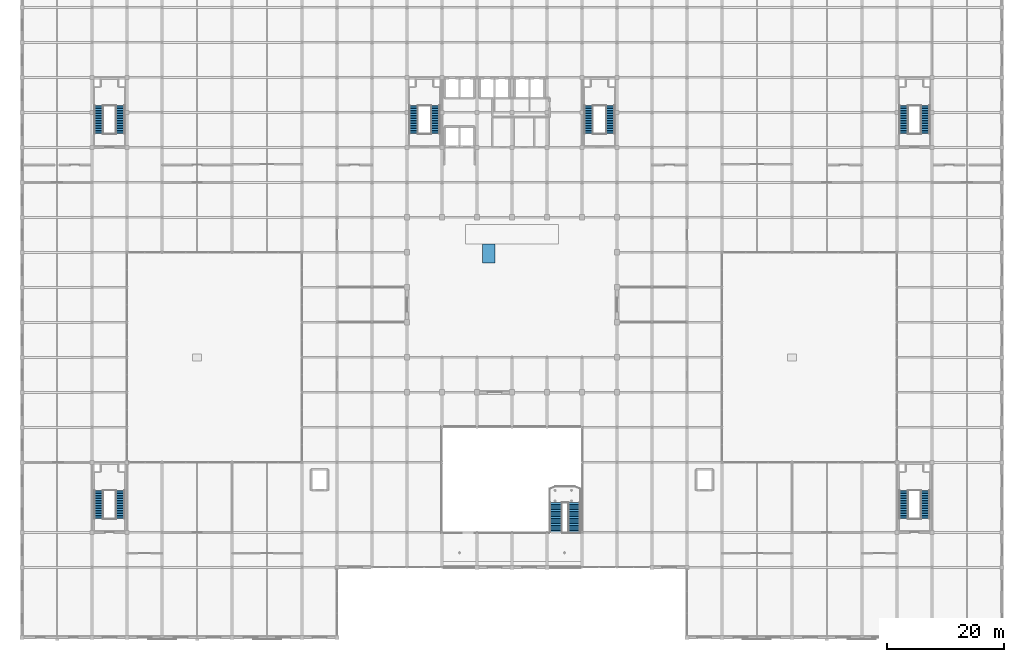
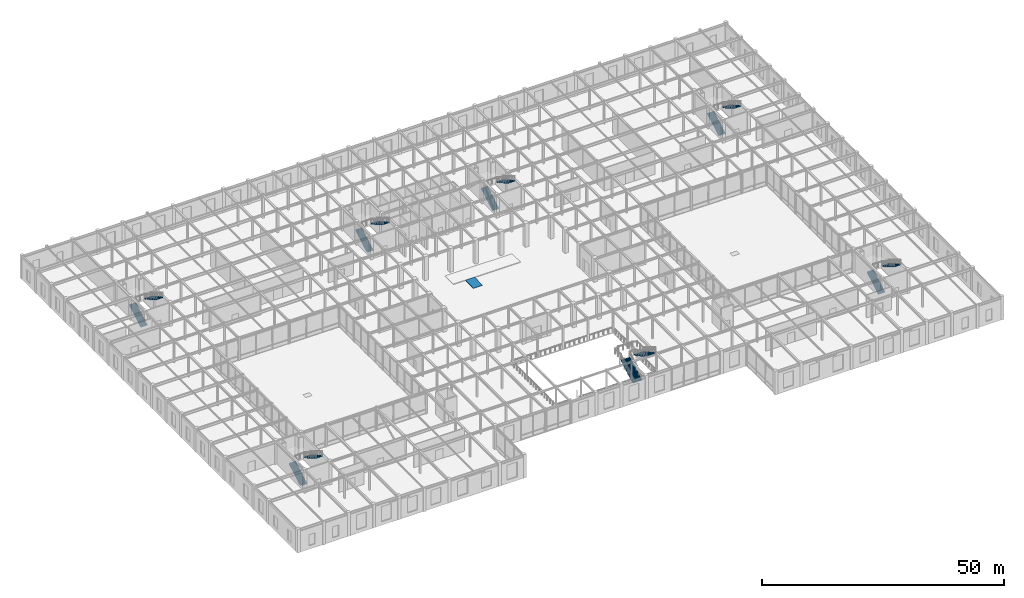
# One storey, part 106 of 108: 14 stair flights, 1 ramp flight, 8 elements without a shape of their own.
"""IFC4 building model written with IfcOpenShell, lengths in metres."""

from ifc_helpers import new_model, si_unit, direction, frame, origin, place, context, subcontext, project, spatial, polyline, outline, extrude, material, layer, layer_set, type_object, element, aggregate, save


model = new_model("IFC4")

# Units and contexts
model_context = context("Model", 3, precision=1e-05, world=origin(), true_north=direction((0.0, 1.0)))
body_context = subcontext(model_context, "Body", "Model", "MODEL_VIEW")
ifc_project = project(units=[si_unit("LENGTHUNIT", "METRE"), si_unit("AREAUNIT", "SQUARE_METRE"), si_unit("VOLUMEUNIT", "CUBIC_METRE"), si_unit("PLANEANGLEUNIT", "RADIAN"), si_unit("MASSUNIT", "GRAM", prefix="KILO")], contexts=[model_context])

# Site, building, storey
site_placement = place(None, origin())
site = spatial("IfcSite", under=ifc_project, at=site_placement, CompositionType="ELEMENT")
building_placement = place(site_placement, origin())
building = spatial("IfcBuilding", under=site, at=building_placement, Name="Zlatovratsky Civic Hall", CompositionType="ELEMENT")
storey_placement = place(building_placement, frame((0.0, 0.0, 6.0)))
storey = spatial("IfcBuildingStorey", under=building, at=storey_placement, Name="L02", CompositionType="ELEMENT", Elevation=6.0)

# Stair, stair flights
ifc_material = material(Name="Concrete C30/37 (B35)", Category="concrete")
stair_type_1 = type_object("IfcStairType", Name="Stair_HALF_36R_1550W_02", PredefinedType="HALF_TURN_STAIR", material=ifc_material)
stair_1_placement = place(storey_placement, origin())
stair_1 = element("IfcStair", 1, at=stair_1_placement, inside=storey, type_object=stair_type_1, Name="ST-003", PredefinedType="HALF_TURN_STAIR")
stair_flight_type_1 = type_object("IfcStairFlightType", Name="StairFlight_18R_1550W_02", PredefinedType="STRAIGHT", material=ifc_material)
stair_flight_1_placement = place(storey_placement, frame((67.125, 86.35009765625, 0.0), z_axis=(0.0, 0.0, 1.0), x_axis=(0.0, 1.0, 0.0)))
stair_flight_1 = element("IfcStairFlight", 2, at=stair_flight_1_placement, type_object=stair_flight_type_1, Name="ST-003-F1", NumberOfRisers=18, NumberOfTreads=17, PredefinedType="STRAIGHT", RiserHeight=0.166666667, TreadLength=0.285, context=body_context, shape_type="SweptSolid", body=[
    extrude(outline(polyline([(0.0, 0.0), (0.0, 0.166748046875), (0.284912109375, 0.166748046875), (0.284912109375, 0.333251953125), (0.570068359375, 0.333251953125), (0.570068359375, 0.5), (0.85498046875, 0.5), (0.85498046875, 0.666748046875), (1.139892578125, 0.666748046875), (1.139892578125, 0.833251953125), (1.425048828125, 0.833251953125), (1.425048828125, 1.0), (1.7099609375, 1.0), (1.7099609375, 1.166748046875), (1.9951171875, 1.166748046875), (1.9951171875, 1.333251953125), (2.280029296875, 1.333251953125), (2.280029296875, 1.5), (2.56494140625, 1.5), (2.56494140625, 1.666748046875), (2.85009765625, 1.666748046875), (2.85009765625, 1.833251953125), (3.135009765625, 1.833251953125), (3.135009765625, 2.0), (3.419921875, 2.0), (3.419921875, 2.166748046875), (3.705078125, 2.166748046875), (3.705078125, 2.333251953125), (3.989990234375, 2.333251953125), (3.989990234375, 2.5), (4.27490234375, 2.5), (4.27490234375, 2.666748046875), (4.56005859375, 2.666748046875), (4.56005859375, 2.833251953125), (4.844970703125, 2.833251953125), (4.844970703125, 3.0), (4.844970703125, 2.625), (0.3564453125, 0.0), (0.0, 0.0)])), frame((0.0, 0.77490234375, 0.0), z_axis=(0.0, -1.0, 0.0), x_axis=(1.0, 0.0, 0.0)), (0.0, 0.0, 1.0), 1.550048828125),
])
stair_flight_2_placement = place(storey_placement, frame((70.875, 91.195068359375, 3.0), z_axis=(0.0, 0.0, 1.0), x_axis=(0.0, -1.0, 0.0)))
stair_flight_2 = element("IfcStairFlight", 3, at=stair_flight_2_placement, type_object=stair_flight_type_1, Name="ST-003-F2", NumberOfRisers=18, NumberOfTreads=17, PredefinedType="STRAIGHT", RiserHeight=0.166666667, TreadLength=0.285, context=body_context, shape_type="SweptSolid", body=[
    extrude(outline(polyline([(0.0, 0.0), (0.0, 0.166748046875), (0.284912109375, 0.166748046875), (0.284912109375, 0.333251953125), (0.570068359375, 0.333251953125), (0.570068359375, 0.5), (0.85498046875, 0.5), (0.85498046875, 0.666748046875), (1.139892578125, 0.666748046875), (1.139892578125, 0.833251953125), (1.425048828125, 0.833251953125), (1.425048828125, 1.0), (1.7099609375, 1.0), (1.7099609375, 1.166748046875), (1.9951171875, 1.166748046875), (1.9951171875, 1.333251953125), (2.280029296875, 1.333251953125), (2.280029296875, 1.5), (2.56494140625, 1.5), (2.56494140625, 1.666748046875), (2.85009765625, 1.666748046875), (2.85009765625, 1.833251953125), (3.135009765625, 1.833251953125), (3.135009765625, 2.0), (3.419921875, 2.0), (3.419921875, 2.166748046875), (3.705078125, 2.166748046875), (3.705078125, 2.333251953125), (3.989990234375, 2.333251953125), (3.989990234375, 2.5), (4.27490234375, 2.5), (4.27490234375, 2.666748046875), (4.56005859375, 2.666748046875), (4.56005859375, 2.833251953125), (4.844970703125, 2.833251953125), (4.844970703125, 3.0), (4.844970703125, 2.625), (0.3564453125, 0.0), (0.0, 0.0)])), frame((0.0, 0.77490234375, 0.0), z_axis=(0.0, -1.0, 0.0), x_axis=(1.0, 0.0, 0.0)), (0.0, 0.0, 1.0), 1.550048828125),
])
aggregate(stair_1, [stair_flight_1, stair_flight_2])

stair_2_placement = place(storey_placement, origin())
stair_2 = element("IfcStair", 4, at=stair_2_placement, inside=storey, type_object=stair_type_1, Name="ST-022", PredefinedType="HALF_TURN_STAIR")
stair_flight_3_placement = place(storey_placement, frame((97.125, 86.35009765625, 0.0), z_axis=(0.0, 0.0, 1.0), x_axis=(0.0, 1.0, 0.0)))
stair_flight_3 = element("IfcStairFlight", 5, at=stair_flight_3_placement, type_object=stair_flight_type_1, Name="ST-022-F1", NumberOfRisers=18, NumberOfTreads=17, PredefinedType="STRAIGHT", RiserHeight=0.166666667, TreadLength=0.285, context=body_context, shape_type="SweptSolid", body=[
    extrude(outline(polyline([(0.0, 0.0), (0.0, 0.166748046875), (0.284912109375, 0.166748046875), (0.284912109375, 0.333251953125), (0.570068359375, 0.333251953125), (0.570068359375, 0.5), (0.85498046875, 0.5), (0.85498046875, 0.666748046875), (1.139892578125, 0.666748046875), (1.139892578125, 0.833251953125), (1.425048828125, 0.833251953125), (1.425048828125, 1.0), (1.7099609375, 1.0), (1.7099609375, 1.166748046875), (1.9951171875, 1.166748046875), (1.9951171875, 1.333251953125), (2.280029296875, 1.333251953125), (2.280029296875, 1.5), (2.56494140625, 1.5), (2.56494140625, 1.666748046875), (2.85009765625, 1.666748046875), (2.85009765625, 1.833251953125), (3.135009765625, 1.833251953125), (3.135009765625, 2.0), (3.419921875, 2.0), (3.419921875, 2.166748046875), (3.705078125, 2.166748046875), (3.705078125, 2.333251953125), (3.989990234375, 2.333251953125), (3.989990234375, 2.5), (4.27490234375, 2.5), (4.27490234375, 2.666748046875), (4.56005859375, 2.666748046875), (4.56005859375, 2.833251953125), (4.844970703125, 2.833251953125), (4.844970703125, 3.0), (4.844970703125, 2.625), (0.3564453125, 0.0), (0.0, 0.0)])), frame((0.0, 0.77490234375, 0.0), z_axis=(0.0, -1.0, 0.0), x_axis=(1.0, 0.0, 0.0)), (0.0, 0.0, 1.0), 1.550048828125),
])
stair_flight_4_placement = place(storey_placement, frame((100.875, 91.195068359375, 3.0), z_axis=(0.0, 0.0, 1.0), x_axis=(0.0, -1.0, 0.0)))
stair_flight_4 = element("IfcStairFlight", 6, at=stair_flight_4_placement, type_object=stair_flight_type_1, Name="ST-022-F2", NumberOfRisers=18, NumberOfTreads=17, PredefinedType="STRAIGHT", RiserHeight=0.166666667, TreadLength=0.285, context=body_context, shape_type="SweptSolid", body=[
    extrude(outline(polyline([(0.0, 0.0), (0.0, 0.166748046875), (0.284912109375, 0.166748046875), (0.284912109375, 0.333251953125), (0.570068359375, 0.333251953125), (0.570068359375, 0.5), (0.85498046875, 0.5), (0.85498046875, 0.666748046875), (1.139892578125, 0.666748046875), (1.139892578125, 0.833251953125), (1.425048828125, 0.833251953125), (1.425048828125, 1.0), (1.7099609375, 1.0), (1.7099609375, 1.166748046875), (1.9951171875, 1.166748046875), (1.9951171875, 1.333251953125), (2.280029296875, 1.333251953125), (2.280029296875, 1.5), (2.56494140625, 1.5), (2.56494140625, 1.666748046875), (2.85009765625, 1.666748046875), (2.85009765625, 1.833251953125), (3.135009765625, 1.833251953125), (3.135009765625, 2.0), (3.419921875, 2.0), (3.419921875, 2.166748046875), (3.705078125, 2.166748046875), (3.705078125, 2.333251953125), (3.989990234375, 2.333251953125), (3.989990234375, 2.5), (4.27490234375, 2.5), (4.27490234375, 2.666748046875), (4.56005859375, 2.666748046875), (4.56005859375, 2.833251953125), (4.844970703125, 2.833251953125), (4.844970703125, 3.0), (4.844970703125, 2.625), (0.3564453125, 0.0), (0.0, 0.0)])), frame((0.0, 0.77490234375, 0.0), z_axis=(0.0, -1.0, 0.0), x_axis=(1.0, 0.0, 0.0)), (0.0, 0.0, 1.0), 1.550048828125),
])
aggregate(stair_2, [stair_flight_3, stair_flight_4])

stair_type_2 = type_object("IfcStairType", Name="Stair_HALF_36R_1600W_07", PredefinedType="HALF_TURN_STAIR", material=ifc_material)
stair_3_placement = place(storey_placement, origin())
stair_3 = element("IfcStair", 7, at=stair_3_placement, inside=storey, type_object=stair_type_2, Name="ST-040", PredefinedType="HALF_TURN_STAIR")
stair_flight_type_2 = type_object("IfcStairFlightType", Name="StairFlight_18R_1600W_07", PredefinedType="STRAIGHT", material=ifc_material)
stair_flight_5_placement = place(storey_placement, frame((13.14990234375, 20.35009765625, 0.0), z_axis=(0.0, 0.0, 1.0), x_axis=(0.0, 1.0, 0.0)))
stair_flight_5 = element("IfcStairFlight", 8, at=stair_flight_5_placement, type_object=stair_flight_type_2, Name="ST-040-F1", NumberOfRisers=18, NumberOfTreads=17, PredefinedType="STRAIGHT", RiserHeight=0.166666667, TreadLength=0.285, context=body_context, shape_type="SweptSolid", body=[
    extrude(outline(polyline([(0.0, 0.0), (0.0, 0.166748046875), (0.284912109375, 0.166748046875), (0.284912109375, 0.333251953125), (0.570068359375, 0.333251953125), (0.570068359375, 0.5), (0.85498046875, 0.5), (0.85498046875, 0.666748046875), (1.139892578125, 0.666748046875), (1.139892578125, 0.833251953125), (1.425048828125, 0.833251953125), (1.425048828125, 1.0), (1.7099609375, 1.0), (1.7099609375, 1.166748046875), (1.9951171875, 1.166748046875), (1.9951171875, 1.333251953125), (2.280029296875, 1.333251953125), (2.280029296875, 1.5), (2.56494140625, 1.5), (2.56494140625, 1.666748046875), (2.85009765625, 1.666748046875), (2.85009765625, 1.833251953125), (3.135009765625, 1.833251953125), (3.135009765625, 2.0), (3.419921875, 2.0), (3.419921875, 2.166748046875), (3.705078125, 2.166748046875), (3.705078125, 2.333251953125), (3.989990234375, 2.333251953125), (3.989990234375, 2.5), (4.27490234375, 2.5), (4.27490234375, 2.666748046875), (4.56005859375, 2.666748046875), (4.56005859375, 2.833251953125), (4.844970703125, 2.833251953125), (4.844970703125, 3.0), (4.844970703125, 2.625), (0.3564453125, 0.0), (0.0, 0.0)])), frame((0.0, 0.800048828125, 0.0), z_axis=(0.0, -1.0, 0.0), x_axis=(1.0, 0.0, 0.0)), (0.0, 0.0, 1.0), 1.60009765625),
])
stair_flight_6_placement = place(storey_placement, frame((16.85009765625, 25.195068359375, 3.0), z_axis=(0.0, 0.0, 1.0), x_axis=(0.0, -1.0, 0.0)))
stair_flight_6 = element("IfcStairFlight", 9, at=stair_flight_6_placement, type_object=stair_flight_type_2, Name="ST-040-F2", NumberOfRisers=18, NumberOfTreads=17, PredefinedType="STRAIGHT", RiserHeight=0.166666667, TreadLength=0.285, context=body_context, shape_type="SweptSolid", body=[
    extrude(outline(polyline([(0.0, 0.0), (0.0, 0.166748046875), (0.284912109375, 0.166748046875), (0.284912109375, 0.333251953125), (0.570068359375, 0.333251953125), (0.570068359375, 0.5), (0.85498046875, 0.5), (0.85498046875, 0.666748046875), (1.139892578125, 0.666748046875), (1.139892578125, 0.833251953125), (1.425048828125, 0.833251953125), (1.425048828125, 1.0), (1.7099609375, 1.0), (1.7099609375, 1.166748046875), (1.9951171875, 1.166748046875), (1.9951171875, 1.333251953125), (2.280029296875, 1.333251953125), (2.280029296875, 1.5), (2.56494140625, 1.5), (2.56494140625, 1.666748046875), (2.85009765625, 1.666748046875), (2.85009765625, 1.833251953125), (3.135009765625, 1.833251953125), (3.135009765625, 2.0), (3.419921875, 2.0), (3.419921875, 2.166748046875), (3.705078125, 2.166748046875), (3.705078125, 2.333251953125), (3.989990234375, 2.333251953125), (3.989990234375, 2.5), (4.27490234375, 2.5), (4.27490234375, 2.666748046875), (4.56005859375, 2.666748046875), (4.56005859375, 2.833251953125), (4.844970703125, 2.833251953125), (4.844970703125, 3.0), (4.844970703125, 2.625), (0.3564453125, 0.0), (0.0, 0.0)])), frame((0.0, 0.800048828125, 0.0), z_axis=(0.0, -1.0, 0.0), x_axis=(1.0, 0.0, 0.0)), (0.0, 0.0, 1.0), 1.60009765625),
])
aggregate(stair_3, [stair_flight_5, stair_flight_6])

stair_4_placement = place(storey_placement, origin())
stair_4 = element("IfcStair", 10, at=stair_4_placement, inside=storey, type_object=stair_type_2, Name="ST-044", PredefinedType="HALF_TURN_STAIR")
stair_flight_7_placement = place(storey_placement, frame((151.14990234375, 20.35009765625, 0.0), z_axis=(0.0, 0.0, 1.0), x_axis=(0.0, 1.0, 0.0)))
stair_flight_7 = element("IfcStairFlight", 11, at=stair_flight_7_placement, type_object=stair_flight_type_2, Name="ST-044-F1", NumberOfRisers=18, NumberOfTreads=17, PredefinedType="STRAIGHT", RiserHeight=0.166666667, TreadLength=0.285, context=body_context, shape_type="SweptSolid", body=[
    extrude(outline(polyline([(0.0, 0.0), (0.0, 0.166748046875), (0.284912109375, 0.166748046875), (0.284912109375, 0.333251953125), (0.570068359375, 0.333251953125), (0.570068359375, 0.5), (0.85498046875, 0.5), (0.85498046875, 0.666748046875), (1.139892578125, 0.666748046875), (1.139892578125, 0.833251953125), (1.425048828125, 0.833251953125), (1.425048828125, 1.0), (1.7099609375, 1.0), (1.7099609375, 1.166748046875), (1.9951171875, 1.166748046875), (1.9951171875, 1.333251953125), (2.280029296875, 1.333251953125), (2.280029296875, 1.5), (2.56494140625, 1.5), (2.56494140625, 1.666748046875), (2.85009765625, 1.666748046875), (2.85009765625, 1.833251953125), (3.135009765625, 1.833251953125), (3.135009765625, 2.0), (3.419921875, 2.0), (3.419921875, 2.166748046875), (3.705078125, 2.166748046875), (3.705078125, 2.333251953125), (3.989990234375, 2.333251953125), (3.989990234375, 2.5), (4.27490234375, 2.5), (4.27490234375, 2.666748046875), (4.56005859375, 2.666748046875), (4.56005859375, 2.833251953125), (4.844970703125, 2.833251953125), (4.844970703125, 3.0), (4.844970703125, 2.625), (0.3564453125, 0.0), (0.0, 0.0)])), frame((0.0, 0.800048828125, 0.0), z_axis=(0.0, -1.0, 0.0), x_axis=(1.0, 0.0, 0.0)), (0.0, 0.0, 1.0), 1.60009765625),
])
stair_flight_8_placement = place(storey_placement, frame((154.85009765625, 25.195068359375, 3.0), z_axis=(0.0, 0.0, 1.0), x_axis=(0.0, -1.0, 0.0)))
stair_flight_8 = element("IfcStairFlight", 12, at=stair_flight_8_placement, type_object=stair_flight_type_2, Name="ST-044-F2", NumberOfRisers=18, NumberOfTreads=17, PredefinedType="STRAIGHT", RiserHeight=0.166666667, TreadLength=0.285, context=body_context, shape_type="SweptSolid", body=[
    extrude(outline(polyline([(0.0, 0.0), (0.0, 0.166748046875), (0.284912109375, 0.166748046875), (0.284912109375, 0.333251953125), (0.570068359375, 0.333251953125), (0.570068359375, 0.5), (0.85498046875, 0.5), (0.85498046875, 0.666748046875), (1.139892578125, 0.666748046875), (1.139892578125, 0.833251953125), (1.425048828125, 0.833251953125), (1.425048828125, 1.0), (1.7099609375, 1.0), (1.7099609375, 1.166748046875), (1.9951171875, 1.166748046875), (1.9951171875, 1.333251953125), (2.280029296875, 1.333251953125), (2.280029296875, 1.5), (2.56494140625, 1.5), (2.56494140625, 1.666748046875), (2.85009765625, 1.666748046875), (2.85009765625, 1.833251953125), (3.135009765625, 1.833251953125), (3.135009765625, 2.0), (3.419921875, 2.0), (3.419921875, 2.166748046875), (3.705078125, 2.166748046875), (3.705078125, 2.333251953125), (3.989990234375, 2.333251953125), (3.989990234375, 2.5), (4.27490234375, 2.5), (4.27490234375, 2.666748046875), (4.56005859375, 2.666748046875), (4.56005859375, 2.833251953125), (4.844970703125, 2.833251953125), (4.844970703125, 3.0), (4.844970703125, 2.625), (0.3564453125, 0.0), (0.0, 0.0)])), frame((0.0, 0.800048828125, 0.0), z_axis=(0.0, -1.0, 0.0), x_axis=(1.0, 0.0, 0.0)), (0.0, 0.0, 1.0), 1.60009765625),
])
aggregate(stair_4, [stair_flight_7, stair_flight_8])

stair_5_placement = place(storey_placement, origin())
stair_5 = element("IfcStair", 13, at=stair_5_placement, inside=storey, type_object=stair_type_2, Name="ST-048", PredefinedType="HALF_TURN_STAIR")
stair_flight_9_placement = place(storey_placement, frame((13.14990234375, 86.35009765625, 0.0), z_axis=(0.0, 0.0, 1.0), x_axis=(0.0, 1.0, 0.0)))
stair_flight_9 = element("IfcStairFlight", 14, at=stair_flight_9_placement, type_object=stair_flight_type_2, Name="ST-048-F1", NumberOfRisers=18, NumberOfTreads=17, PredefinedType="STRAIGHT", RiserHeight=0.166666667, TreadLength=0.285, context=body_context, shape_type="SweptSolid", body=[
    extrude(outline(polyline([(0.0, 0.0), (0.0, 0.166748046875), (0.284912109375, 0.166748046875), (0.284912109375, 0.333251953125), (0.570068359375, 0.333251953125), (0.570068359375, 0.5), (0.85498046875, 0.5), (0.85498046875, 0.666748046875), (1.139892578125, 0.666748046875), (1.139892578125, 0.833251953125), (1.425048828125, 0.833251953125), (1.425048828125, 1.0), (1.7099609375, 1.0), (1.7099609375, 1.166748046875), (1.9951171875, 1.166748046875), (1.9951171875, 1.333251953125), (2.280029296875, 1.333251953125), (2.280029296875, 1.5), (2.56494140625, 1.5), (2.56494140625, 1.666748046875), (2.85009765625, 1.666748046875), (2.85009765625, 1.833251953125), (3.135009765625, 1.833251953125), (3.135009765625, 2.0), (3.419921875, 2.0), (3.419921875, 2.166748046875), (3.705078125, 2.166748046875), (3.705078125, 2.333251953125), (3.989990234375, 2.333251953125), (3.989990234375, 2.5), (4.27490234375, 2.5), (4.27490234375, 2.666748046875), (4.56005859375, 2.666748046875), (4.56005859375, 2.833251953125), (4.844970703125, 2.833251953125), (4.844970703125, 3.0), (4.844970703125, 2.625), (0.3564453125, 0.0), (0.0, 0.0)])), frame((0.0, 0.800048828125, 0.0), z_axis=(0.0, -1.0, 0.0), x_axis=(1.0, 0.0, 0.0)), (0.0, 0.0, 1.0), 1.60009765625),
])
stair_flight_10_placement = place(storey_placement, frame((16.85009765625, 91.195068359375, 3.0), z_axis=(0.0, 0.0, 1.0), x_axis=(0.0, -1.0, 0.0)))
stair_flight_10 = element("IfcStairFlight", 15, at=stair_flight_10_placement, type_object=stair_flight_type_2, Name="ST-048-F2", NumberOfRisers=18, NumberOfTreads=17, PredefinedType="STRAIGHT", RiserHeight=0.166666667, TreadLength=0.285, context=body_context, shape_type="SweptSolid", body=[
    extrude(outline(polyline([(0.0, 0.0), (0.0, 0.166748046875), (0.284912109375, 0.166748046875), (0.284912109375, 0.333251953125), (0.570068359375, 0.333251953125), (0.570068359375, 0.5), (0.85498046875, 0.5), (0.85498046875, 0.666748046875), (1.139892578125, 0.666748046875), (1.139892578125, 0.833251953125), (1.425048828125, 0.833251953125), (1.425048828125, 1.0), (1.7099609375, 1.0), (1.7099609375, 1.166748046875), (1.9951171875, 1.166748046875), (1.9951171875, 1.333251953125), (2.280029296875, 1.333251953125), (2.280029296875, 1.5), (2.56494140625, 1.5), (2.56494140625, 1.666748046875), (2.85009765625, 1.666748046875), (2.85009765625, 1.833251953125), (3.135009765625, 1.833251953125), (3.135009765625, 2.0), (3.419921875, 2.0), (3.419921875, 2.166748046875), (3.705078125, 2.166748046875), (3.705078125, 2.333251953125), (3.989990234375, 2.333251953125), (3.989990234375, 2.5), (4.27490234375, 2.5), (4.27490234375, 2.666748046875), (4.56005859375, 2.666748046875), (4.56005859375, 2.833251953125), (4.844970703125, 2.833251953125), (4.844970703125, 3.0), (4.844970703125, 2.625), (0.3564453125, 0.0), (0.0, 0.0)])), frame((0.0, 0.800048828125, 0.0), z_axis=(0.0, -1.0, 0.0), x_axis=(1.0, 0.0, 0.0)), (0.0, 0.0, 1.0), 1.60009765625),
])
aggregate(stair_5, [stair_flight_9, stair_flight_10])

stair_6_placement = place(storey_placement, origin())
stair_6 = element("IfcStair", 16, at=stair_6_placement, inside=storey, type_object=stair_type_2, Name="ST-052", PredefinedType="HALF_TURN_STAIR")
stair_flight_11_placement = place(storey_placement, frame((151.14990234375, 86.35009765625, 0.0), z_axis=(0.0, 0.0, 1.0), x_axis=(0.0, 1.0, 0.0)))
stair_flight_11 = element("IfcStairFlight", 17, at=stair_flight_11_placement, type_object=stair_flight_type_2, Name="ST-052-F1", NumberOfRisers=18, NumberOfTreads=17, PredefinedType="STRAIGHT", RiserHeight=0.166666667, TreadLength=0.285, context=body_context, shape_type="SweptSolid", body=[
    extrude(outline(polyline([(0.0, 0.0), (0.0, 0.166748046875), (0.284912109375, 0.166748046875), (0.284912109375, 0.333251953125), (0.570068359375, 0.333251953125), (0.570068359375, 0.5), (0.85498046875, 0.5), (0.85498046875, 0.666748046875), (1.139892578125, 0.666748046875), (1.139892578125, 0.833251953125), (1.425048828125, 0.833251953125), (1.425048828125, 1.0), (1.7099609375, 1.0), (1.7099609375, 1.166748046875), (1.9951171875, 1.166748046875), (1.9951171875, 1.333251953125), (2.280029296875, 1.333251953125), (2.280029296875, 1.5), (2.56494140625, 1.5), (2.56494140625, 1.666748046875), (2.85009765625, 1.666748046875), (2.85009765625, 1.833251953125), (3.135009765625, 1.833251953125), (3.135009765625, 2.0), (3.419921875, 2.0), (3.419921875, 2.166748046875), (3.705078125, 2.166748046875), (3.705078125, 2.333251953125), (3.989990234375, 2.333251953125), (3.989990234375, 2.5), (4.27490234375, 2.5), (4.27490234375, 2.666748046875), (4.56005859375, 2.666748046875), (4.56005859375, 2.833251953125), (4.844970703125, 2.833251953125), (4.844970703125, 3.0), (4.844970703125, 2.625), (0.3564453125, 0.0), (0.0, 0.0)])), frame((0.0, 0.800048828125, 0.0), z_axis=(0.0, -1.0, 0.0), x_axis=(1.0, 0.0, 0.0)), (0.0, 0.0, 1.0), 1.60009765625),
])
stair_flight_12_placement = place(storey_placement, frame((154.85009765625, 91.195068359375, 3.0), z_axis=(0.0, 0.0, 1.0), x_axis=(0.0, -1.0, 0.0)))
stair_flight_12 = element("IfcStairFlight", 18, at=stair_flight_12_placement, type_object=stair_flight_type_2, Name="ST-052-F2", NumberOfRisers=18, NumberOfTreads=17, PredefinedType="STRAIGHT", RiserHeight=0.166666667, TreadLength=0.285, context=body_context, shape_type="SweptSolid", body=[
    extrude(outline(polyline([(0.0, 0.0), (0.0, 0.166748046875), (0.284912109375, 0.166748046875), (0.284912109375, 0.333251953125), (0.570068359375, 0.333251953125), (0.570068359375, 0.5), (0.85498046875, 0.5), (0.85498046875, 0.666748046875), (1.139892578125, 0.666748046875), (1.139892578125, 0.833251953125), (1.425048828125, 0.833251953125), (1.425048828125, 1.0), (1.7099609375, 1.0), (1.7099609375, 1.166748046875), (1.9951171875, 1.166748046875), (1.9951171875, 1.333251953125), (2.280029296875, 1.333251953125), (2.280029296875, 1.5), (2.56494140625, 1.5), (2.56494140625, 1.666748046875), (2.85009765625, 1.666748046875), (2.85009765625, 1.833251953125), (3.135009765625, 1.833251953125), (3.135009765625, 2.0), (3.419921875, 2.0), (3.419921875, 2.166748046875), (3.705078125, 2.166748046875), (3.705078125, 2.333251953125), (3.989990234375, 2.333251953125), (3.989990234375, 2.5), (4.27490234375, 2.5), (4.27490234375, 2.666748046875), (4.56005859375, 2.666748046875), (4.56005859375, 2.833251953125), (4.844970703125, 2.833251953125), (4.844970703125, 3.0), (4.844970703125, 2.625), (0.3564453125, 0.0), (0.0, 0.0)])), frame((0.0, 0.800048828125, 0.0), z_axis=(0.0, -1.0, 0.0), x_axis=(1.0, 0.0, 0.0)), (0.0, 0.0, 1.0), 1.60009765625),
])
aggregate(stair_6, [stair_flight_11, stair_flight_12])

stair_type_3 = type_object("IfcStairType", Name="Stair_TWO__36R_2200W_09", PredefinedType="TWO_QUARTER_TURN_STAIR", material=ifc_material)
stair_7_placement = place(storey_placement, origin())
stair_7 = element("IfcStair", 19, at=stair_7_placement, inside=storey, type_object=stair_type_3, Name="ST-055", PredefinedType="TWO_QUARTER_TURN_STAIR")
stair_flight_type_3 = type_object("IfcStairFlightType", Name="StairFlight_18R_2200W_09", PredefinedType="STRAIGHT", material=ifc_material)
stair_flight_13_placement = place(storey_placement, frame((91.5, 18.0, 0.0), z_axis=(0.0, 0.0, 1.0), x_axis=(0.0, 1.0, 0.0)))
stair_flight_13 = element("IfcStairFlight", 20, at=stair_flight_13_placement, type_object=stair_flight_type_3, Name="ST-055-F1", NumberOfRisers=18, NumberOfTreads=17, PredefinedType="STRAIGHT", RiserHeight=0.166666667, TreadLength=0.3, context=body_context, shape_type="SweptSolid", body=[
    extrude(outline(polyline([(0.0, 0.0), (0.0, 0.166748046875), (0.300048828125, 0.166748046875), (0.300048828125, 0.333251953125), (0.60009765625, 0.333251953125), (0.60009765625, 0.5), (0.89990234375, 0.5), (0.89990234375, 0.666748046875), (1.199951171875, 0.666748046875), (1.199951171875, 0.833251953125), (1.5, 0.833251953125), (1.5, 1.0), (1.800048828125, 1.0), (1.800048828125, 1.166748046875), (2.10009765625, 1.166748046875), (2.10009765625, 1.333251953125), (2.39990234375, 1.333251953125), (2.39990234375, 1.5), (2.699951171875, 1.5), (2.699951171875, 1.666748046875), (3.0, 1.666748046875), (3.0, 1.833251953125), (3.300048828125, 1.833251953125), (3.300048828125, 2.0), (3.60009765625, 2.0), (3.60009765625, 2.166748046875), (3.89990234375, 2.166748046875), (3.89990234375, 2.333251953125), (4.199951171875, 2.333251953125), (4.199951171875, 2.5), (4.5, 2.5), (4.5, 2.666748046875), (4.800048828125, 2.666748046875), (4.800048828125, 2.833251953125), (5.10009765625, 2.833251953125), (5.10009765625, 3.0), (5.10009765625, 2.6044921875), (0.41162109375, 0.0), (0.0, 0.0)])), frame((0.0, 1.10009765625, 0.0), z_axis=(0.0, -1.0, 0.0), x_axis=(1.0, 0.0, 0.0)), (0.0, 0.0, 1.0), 2.199951171875),
])
stair_flight_14_placement = place(storey_placement, frame((94.699951171875, 23.10009765625, 3.0), z_axis=(0.0, 0.0, 1.0), x_axis=(0.0, -1.0, 0.0)))
stair_flight_14 = element("IfcStairFlight", 21, at=stair_flight_14_placement, type_object=stair_flight_type_3, Name="ST-055-F2", NumberOfRisers=18, NumberOfTreads=17, PredefinedType="STRAIGHT", RiserHeight=0.166666667, TreadLength=0.3, context=body_context, shape_type="SweptSolid", body=[
    extrude(outline(polyline([(0.0, 0.0), (0.0, 0.166748046875), (0.300048828125, 0.166748046875), (0.300048828125, 0.333251953125), (0.60009765625, 0.333251953125), (0.60009765625, 0.5), (0.89990234375, 0.5), (0.89990234375, 0.666748046875), (1.199951171875, 0.666748046875), (1.199951171875, 0.833251953125), (1.5, 0.833251953125), (1.5, 1.0), (1.800048828125, 1.0), (1.800048828125, 1.166748046875), (2.10009765625, 1.166748046875), (2.10009765625, 1.333251953125), (2.39990234375, 1.333251953125), (2.39990234375, 1.5), (2.699951171875, 1.5), (2.699951171875, 1.666748046875), (3.0, 1.666748046875), (3.0, 1.833251953125), (3.300048828125, 1.833251953125), (3.300048828125, 2.0), (3.60009765625, 2.0), (3.60009765625, 2.166748046875), (3.89990234375, 2.166748046875), (3.89990234375, 2.333251953125), (4.199951171875, 2.333251953125), (4.199951171875, 2.5), (4.5, 2.5), (4.5, 2.666748046875), (4.800048828125, 2.666748046875), (4.800048828125, 2.833251953125), (5.10009765625, 2.833251953125), (5.10009765625, 3.0), (5.10009765625, 2.6044921875), (0.41162109375, 0.0), (0.0, 0.0)])), frame((0.0, 1.10009765625, 0.0), z_axis=(0.0, -1.0, 0.0), x_axis=(1.0, 0.0, 0.0)), (0.0, 0.0, 1.0), 2.199951171875),
])
aggregate(stair_7, [stair_flight_13, stair_flight_14])

# Ramp, ramp flight
ramp_type = type_object("IfcRampType", Name="Ramp_AccessibleGranite", PredefinedType="STRAIGHT_RUN_RAMP", material=ifc_material)
ramp_placement = place(storey_placement, origin())
ramp = element("IfcRamp", 22, at=ramp_placement, inside=storey, type_object=ramp_type, Name="RMP-04", PredefinedType="STRAIGHT_RUN_RAMP")
ifc_layer = layer(ifc_material, 0.219970703125)
ifc_layer_set = layer_set([ifc_layer], Name="Concrete C30/37 (B35)")
ramp_flight_type = type_object("IfcRampFlightType", Name="RampFlight_AccessibleGranite", PredefinedType="STRAIGHT", material=ifc_layer_set)
ramp_flight_placement = place(storey_placement, frame((80.0, 64.199951171875, 0.0), z_axis=(0.0, 0.0, 1.0), x_axis=(0.0, 1.0, 0.0)))
ramp_flight = element("IfcRampFlight", 23, at=ramp_flight_placement, type_object=ramp_flight_type, Name="RMP-04-F1", PredefinedType="STRAIGHT", context=body_context, shape_type="SweptSolid", body=[
    extrude(outline(polyline([(0.0, 0.0), (3.199951171875, 0.159912109375), (3.199951171875, 0.0), (0.0, -0.159912109375), (0.0, 0.0)])), frame((0.0, 1.10009765625, 0.0), z_axis=(0.0, -1.0, 0.0), x_axis=(1.0, 0.0, 0.0)), (0.0, 0.0, 1.0), 2.199951171875),
])
aggregate(ramp, [ramp_flight])

save(model, "model.ifc")
